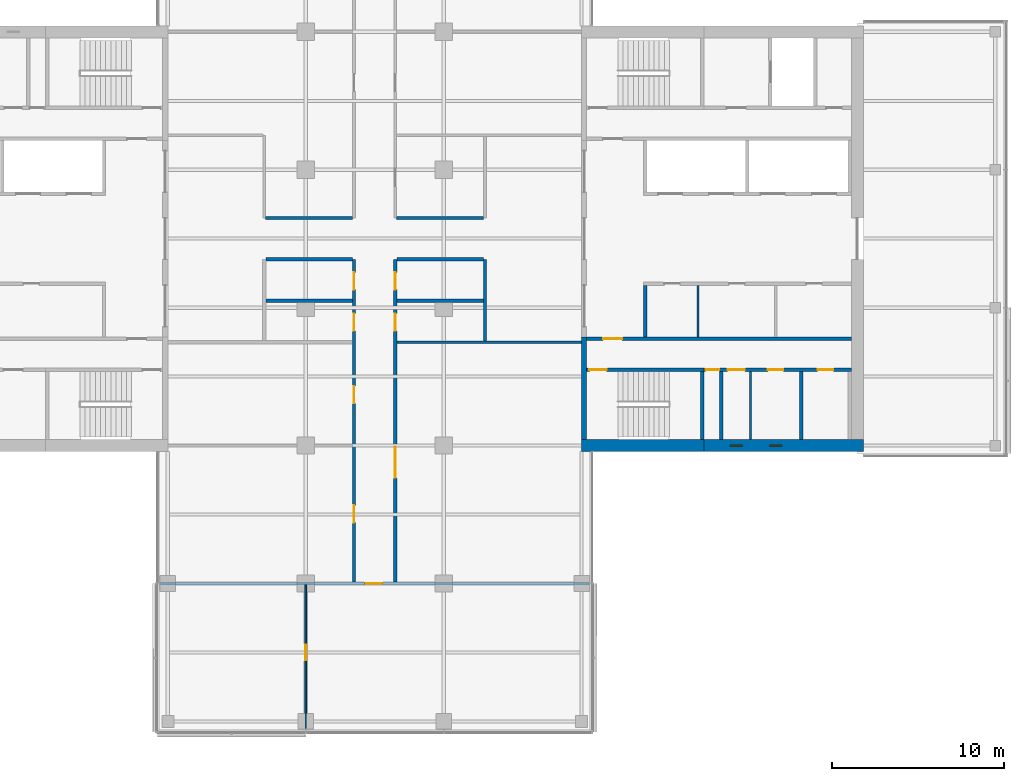
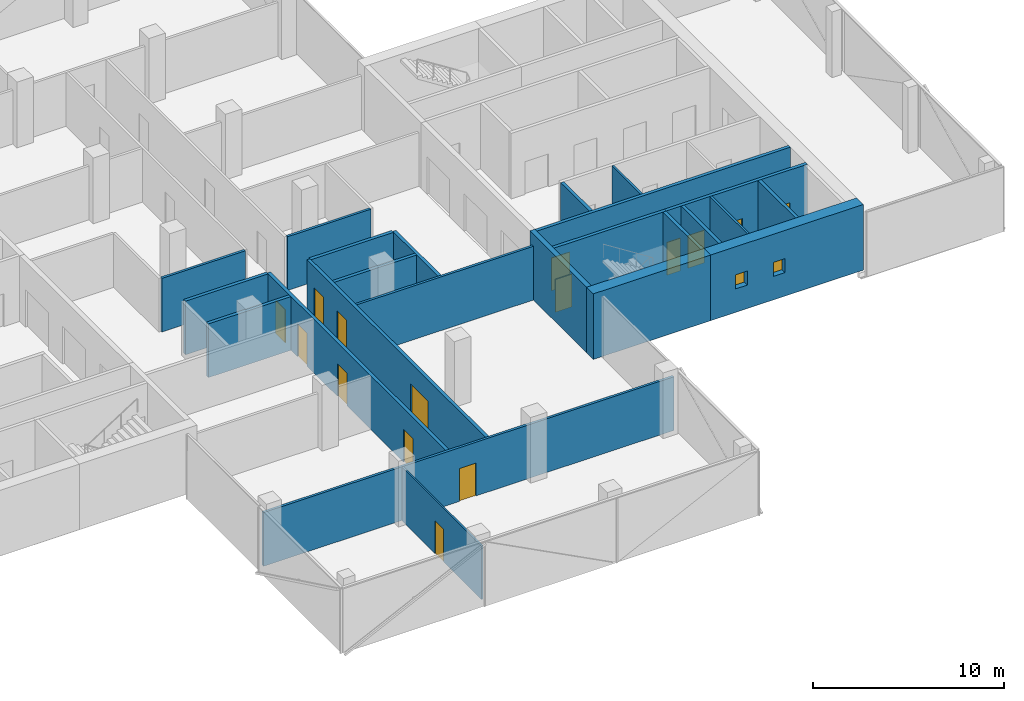
# One storey, part 14 of 22: 24 walls, 15 doors, 2 windows, 17 openings.
"""IFC4 building model written with IfcOpenShell, lengths in metres."""

from ifc_helpers import new_model, si_unit, direction, frame, frame_2d, origin, place, context, subcontext, project, spatial, rectangle, extrude, material, layer, layer_set, constituent, constituent_set, type_object, element, fill, save


model = new_model("IFC4")

# Units and contexts
model_context = context("Model", 3, precision=1e-05, world=origin(), true_north=direction((0.0, 1.0)))
body_context = subcontext(model_context, "Body", "Model", "MODEL_VIEW")
ifc_project = project(units=[si_unit("LENGTHUNIT", "METRE"), si_unit("AREAUNIT", "SQUARE_METRE"), si_unit("VOLUMEUNIT", "CUBIC_METRE"), si_unit("PLANEANGLEUNIT", "RADIAN"), si_unit("MASSUNIT", "GRAM", prefix="KILO")], contexts=[model_context])

# Site, building, storey
site_placement = place(None, origin())
site = spatial("IfcSite", under=ifc_project, at=site_placement, CompositionType="ELEMENT")
building_placement = place(site_placement, origin())
building = spatial("IfcBuilding", under=site, at=building_placement, Name="Crosswind Convention Tower", CompositionType="ELEMENT")
storey_placement = place(building_placement, frame((0.0, 0.0, 154.699951171875)))
storey = spatial("IfcBuildingStorey", under=building, at=storey_placement, Name="L32", CompositionType="ELEMENT", Elevation=154.699951171875)

# Wall
ifc_material_1 = material(Name="Concrete blockwork", Category="masonry")
ifc_layer_1 = layer(ifc_material_1, 0.199951171875)
ifc_layer_set_1 = layer_set([ifc_layer_1], Name="Blockwork partition wall 200")
wall_type_1 = type_object("IfcWallType", Name="Blockwork partition wall 200", PredefinedType="PARTITIONING", material=ifc_layer_set_1)
wall_1_placement = place(storey_placement, frame((145.10009765625, 88.35009765625, 0.0), z_axis=(0.0, 0.0, 1.0), x_axis=(0.0, 1.0, 0.0)))
element("IfcWall", 1, at=wall_1_placement, inside=storey, type_object=wall_type_1, Name="Wall MRSE E L32", PredefinedType="PARTITIONING", context=body_context, shape_type="SweptSolid", body=[
    extrude(rectangle(XDim=3.949951171875, YDim=0.199951171875, at=frame_2d((1.97509765625, 0.0))), origin(), (0.0, 0.0, 1.0), 4.199951171875),
])

# Wall, openings, doors
ifc_layer_2 = layer(ifc_material_1, 0.199951171875)
ifc_layer_set_2 = layer_set([ifc_layer_2], Name="COMPARTMENT WALL 200 BLOCKWORK")
wall_type_2 = type_object("IfcWallType", Name="COMPARTMENT WALL 200 BLOCKWORK", PredefinedType="SOLIDWALL", material=ifc_layer_set_2)
wall_2_placement = place(storey_placement, frame((123.800048828125, 80.074951171875, 0.0), z_axis=(0.0, 0.0, 1.0), x_axis=(0.0, 1.0, 0.0)))
wall_2 = element("IfcWall", 2, at=wall_2_placement, inside=storey, type_object=wall_type_2, Name="Compartment wall WT42", PredefinedType="SOLIDWALL", context=body_context, shape_type="SweptSolid", body=[
    extrude(rectangle(XDim=18.72509765625, YDim=0.199951171875, at=frame_2d((9.362548828125, 0.0))), origin(), (0.0, 0.0, 1.0), 3.4365234375),
])
opening_1_placement = place(wall_2_placement, frame((16.97509765625, 0.0, 0.0)))
opening_1 = element("IfcOpeningElement", 3, at=opening_1_placement, cuts=wall_2, Name="Opening L32-58", PredefinedType="OPENING", context=body_context, shape_type="SweptSolid", body=[
    extrude(rectangle(XDim=1.0, YDim=2.10009765625, at=frame_2d((0.5, 1.050048828125))), frame((0.0, 0.10986328125, 0.0), z_axis=(0.0, -1.0, 0.0), x_axis=(1.0, 0.0, 0.0)), (0.0, 0.0, 1.0), 0.219970703125),
])
opening_2_placement = place(wall_2_placement, frame((14.574951171875, 0.0, 0.0)))
opening_2 = element("IfcOpeningElement", 4, at=opening_2_placement, cuts=wall_2, Name="Opening L32-59", PredefinedType="OPENING", context=body_context, shape_type="SweptSolid", body=[
    extrude(rectangle(XDim=1.0, YDim=2.10009765625, at=frame_2d((0.5, 1.050048828125))), frame((0.0, 0.10986328125, 0.0), z_axis=(0.0, -1.0, 0.0), x_axis=(1.0, 0.0, 0.0)), (0.0, 0.0, 1.0), 0.219970703125),
])
opening_3_placement = place(wall_2_placement, frame((10.375, 0.0, 0.0)))
opening_3 = element("IfcOpeningElement", 5, at=opening_3_placement, cuts=wall_2, Name="Opening L32-60", PredefinedType="OPENING", context=body_context, shape_type="SweptSolid", body=[
    extrude(rectangle(XDim=1.0, YDim=2.10009765625, at=frame_2d((0.5, 1.050048828125))), frame((0.0, 0.10986328125, 0.0), z_axis=(0.0, -1.0, 0.0), x_axis=(1.0, 0.0, 0.0)), (0.0, 0.0, 1.0), 0.219970703125),
])
opening_4_placement = place(wall_2_placement, frame((3.449951171875, 0.0, 0.0)))
opening_4 = element("IfcOpeningElement", 6, at=opening_4_placement, cuts=wall_2, Name="Opening L32-61", PredefinedType="OPENING", context=body_context, shape_type="SweptSolid", body=[
    extrude(rectangle(XDim=1.0, YDim=2.10009765625, at=frame_2d((0.5, 1.050048828125))), frame((0.0, 0.10986328125, 0.0), z_axis=(0.0, -1.0, 0.0), x_axis=(1.0, 0.0, 0.0)), (0.0, 0.0, 1.0), 0.219970703125),
])
ifc_material_2 = material(Name="Steel fire door", Category="steel")
door_type_1 = type_object("IfcDoorType", Name="PLANT ROOM DOOR 1000X2100 FD60", OperationType="NOTDEFINED", PredefinedType="DOOR", material=ifc_material_2)
door_1_placement = place(opening_1_placement, origin())
door_1 = element("IfcDoor", 7, at=door_1_placement, inside=storey, type_object=door_type_1, Name="Door L32-58", ObjectType="D43", OperationType="SINGLE_SWING_LEFT", OverallHeight=2.10009765625, OverallWidth=1.0, PredefinedType="DOOR", context=body_context, shape_type="SweptSolid", body=[
    extrude(rectangle(XDim=1.0, YDim=2.10009765625, at=frame_2d((0.5, 1.050048828125))), frame((0.0, 0.02490234375, 0.0), z_axis=(0.0, -1.0, 0.0), x_axis=(1.0, 0.0, 0.0)), (0.0, 0.0, 1.0), 0.050048828125),
])
fill(opening_1, door_1)
door_2_placement = place(opening_2_placement, origin())
door_2 = element("IfcDoor", 8, at=door_2_placement, inside=storey, type_object=door_type_1, Name="Door L32-59", ObjectType="D43", OperationType="SINGLE_SWING_LEFT", OverallHeight=2.10009765625, OverallWidth=1.0, PredefinedType="DOOR", context=body_context, shape_type="SweptSolid", body=[
    extrude(rectangle(XDim=1.0, YDim=2.10009765625, at=frame_2d((0.5, 1.050048828125))), frame((0.0, 0.02490234375, 0.0), z_axis=(0.0, -1.0, 0.0), x_axis=(1.0, 0.0, 0.0)), (0.0, 0.0, 1.0), 0.050048828125),
])
fill(opening_2, door_2)
ifc_material_3 = material(Name="Timber fire door", Category="wood")
door_type_2 = type_object("IfcDoorType", Name="TENANCY ENTRANCE DOOR 1000X2100 FD30S", OperationType="NOTDEFINED", PredefinedType="DOOR", material=ifc_material_3)
door_3_placement = place(opening_3_placement, origin())
door_3 = element("IfcDoor", 9, at=door_3_placement, inside=storey, type_object=door_type_2, Name="Door L32-60", ObjectType="D41", OperationType="SINGLE_SWING_LEFT", OverallHeight=2.10009765625, OverallWidth=1.0, PredefinedType="DOOR", context=body_context, shape_type="SweptSolid", body=[
    extrude(rectangle(XDim=1.0, YDim=2.10009765625, at=frame_2d((0.5, 1.050048828125))), frame((0.0, 0.02490234375, 0.0), z_axis=(0.0, -1.0, 0.0), x_axis=(1.0, 0.0, 0.0)), (0.0, 0.0, 1.0), 0.050048828125),
])
fill(opening_3, door_3)
door_4_placement = place(opening_4_placement, origin())
door_4 = element("IfcDoor", 10, at=door_4_placement, inside=storey, type_object=door_type_2, Name="Door L32-61", ObjectType="D41", OperationType="SINGLE_SWING_RIGHT", OverallHeight=2.10009765625, OverallWidth=1.0, PredefinedType="DOOR", context=body_context, shape_type="SweptSolid", body=[
    extrude(rectangle(XDim=1.0, YDim=2.10009765625, at=frame_2d((0.5, 1.050048828125))), frame((0.0, 0.02490234375, 0.0), z_axis=(0.0, -1.0, 0.0), x_axis=(1.0, 0.0, 0.0)), (0.0, 0.0, 1.0), 0.050048828125),
])
fill(opening_4, door_4)

wall_3_placement = place(storey_placement, frame((126.199951171875, 80.074951171875, 0.0), z_axis=(0.0, 0.0, 1.0), x_axis=(0.0, 1.0, 0.0)))
wall_3 = element("IfcWall", 11, at=wall_3_placement, inside=storey, type_object=wall_type_2, Name="Compartment wall WT42", PredefinedType="SOLIDWALL", context=body_context, shape_type="SweptSolid", body=[
    extrude(rectangle(XDim=18.72509765625, YDim=0.199951171875, at=frame_2d((9.362548828125, 0.0))), origin(), (0.0, 0.0, 1.0), 3.4365234375),
])
opening_5_placement = place(wall_3_placement, frame((16.97509765625, 0.0, 0.0)))
opening_5 = element("IfcOpeningElement", 12, at=opening_5_placement, cuts=wall_3, Name="Opening L32-53", PredefinedType="OPENING", context=body_context, shape_type="SweptSolid", body=[
    extrude(rectangle(XDim=1.0, YDim=2.10009765625, at=frame_2d((0.5, 1.050048828125))), frame((0.0, 0.10986328125, 0.0), z_axis=(0.0, -1.0, 0.0), x_axis=(1.0, 0.0, 0.0)), (0.0, 0.0, 1.0), 0.219970703125),
])
opening_6_placement = place(wall_3_placement, frame((14.574951171875, 0.0, 0.0)))
opening_6 = element("IfcOpeningElement", 13, at=opening_6_placement, cuts=wall_3, Name="Opening L32-54", PredefinedType="OPENING", context=body_context, shape_type="SweptSolid", body=[
    extrude(rectangle(XDim=1.0, YDim=2.10009765625, at=frame_2d((0.5, 1.050048828125))), frame((0.0, 0.10986328125, 0.0), z_axis=(0.0, -1.0, 0.0), x_axis=(1.0, 0.0, 0.0)), (0.0, 0.0, 1.0), 0.219970703125),
])
opening_7_placement = place(wall_3_placement, frame((6.050048828125, 0.0, 0.0)))
opening_7 = element("IfcOpeningElement", 14, at=opening_7_placement, cuts=wall_3, Name="Opening L32-55", PredefinedType="OPENING", context=body_context, shape_type="SweptSolid", body=[
    extrude(rectangle(XDim=1.800048828125, YDim=2.10009765625, at=frame_2d((0.89990234375, 1.050048828125))), frame((0.0, 0.10986328125, 0.0), z_axis=(0.0, -1.0, 0.0), x_axis=(1.0, 0.0, 0.0)), (0.0, 0.0, 1.0), 0.219970703125),
])
door_5_placement = place(opening_5_placement, frame((1.0, 0.0, 0.0), z_axis=(0.0, 0.0, 1.0), x_axis=(-1.0, 0.0, 0.0)))
door_5 = element("IfcDoor", 15, at=door_5_placement, inside=storey, type_object=door_type_1, Name="Door L32-53", ObjectType="D43", OperationType="SINGLE_SWING_RIGHT", OverallHeight=2.10009765625, OverallWidth=1.0, PredefinedType="DOOR", context=body_context, shape_type="SweptSolid", body=[
    extrude(rectangle(XDim=1.0, YDim=2.10009765625, at=frame_2d((0.5, 1.050048828125))), frame((0.0, 0.02490234375, 0.0), z_axis=(0.0, -1.0, 0.0), x_axis=(1.0, 0.0, 0.0)), (0.0, 0.0, 1.0), 0.050048828125),
])
fill(opening_5, door_5)
door_6_placement = place(opening_6_placement, frame((1.0, 0.0, 0.0), z_axis=(0.0, 0.0, 1.0), x_axis=(-1.0, 0.0, 0.0)))
door_6 = element("IfcDoor", 16, at=door_6_placement, inside=storey, type_object=door_type_2, Name="Door L32-54", ObjectType="D41", OperationType="SINGLE_SWING_RIGHT", OverallHeight=2.10009765625, OverallWidth=1.0, PredefinedType="DOOR", context=body_context, shape_type="SweptSolid", body=[
    extrude(rectangle(XDim=1.0, YDim=2.10009765625, at=frame_2d((0.5, 1.050048828125))), frame((0.0, 0.02490234375, 0.0), z_axis=(0.0, -1.0, 0.0), x_axis=(1.0, 0.0, 0.0)), (0.0, 0.0, 1.0), 0.050048828125),
])
fill(opening_6, door_6)
door_type_3 = type_object("IfcDoorType", Name="TENANCY ENTRANCE DOUBLE DOOR 1800X2100 FD30S", OperationType="DOUBLE_DOOR_SINGLE_SWING", PredefinedType="DOOR", material=ifc_material_3)
door_7_placement = place(opening_7_placement, frame((1.800048828125, 0.0, 0.0), z_axis=(0.0, 0.0, 1.0), x_axis=(-1.0, 0.0, 0.0)))
door_7 = element("IfcDoor", 17, at=door_7_placement, inside=storey, type_object=door_type_3, Name="Door L32-55", ObjectType="D42", OperationType="DOUBLE_DOOR_SINGLE_SWING", OverallHeight=2.10009765625, OverallWidth=1.800048828125, PredefinedType="DOOR", context=body_context, shape_type="SweptSolid", body=[
    extrude(rectangle(XDim=1.800048828125, YDim=2.10009765625, at=frame_2d((0.89990234375, 1.050048828125))), frame((0.0, 0.02490234375, 0.0), z_axis=(0.0, -1.0, 0.0), x_axis=(1.0, 0.0, 0.0)), (0.0, 0.0, 1.0), 0.050048828125),
])
fill(opening_7, door_7)

# Walls
wall_4_placement = place(storey_placement, frame((131.39990234375, 94.074951171875, 0.0), z_axis=(0.0, 0.0, 1.0), x_axis=(0.0, 1.0, 0.0)))
element("IfcWall", 18, at=wall_4_placement, inside=storey, type_object=wall_type_2, Name="Compartment wall WT42", PredefinedType="SOLIDWALL", context=body_context, shape_type="SweptSolid", body=[
    extrude(rectangle(XDim=4.72509765625, YDim=0.199951171875, at=frame_2d((2.362548828125, 0.0))), origin(), (0.0, 0.0, 1.0), 3.4365234375),
])
for number, where, z_axis, x_axis, name in (
    (19, (118.699951171875, 96.39990234375, 0.0), (0.0, 0.0, 1.0), (1.0, 0.0, 0.0), "Compartment wall WT42"),
    (20, (126.300048828125, 96.39990234375, 0.0), (0.0, 0.0, 1.0), (1.0, 0.0, 0.0), "Compartment wall WT42"),
    (21, (118.699951171875, 98.800048828125, 0.0), (0.0, 0.0, 1.0), (1.0, 0.0, 0.0), "Compartment wall WT42"),
    (22, (126.300048828125, 98.800048828125, 0.0), (0.0, 0.0, 1.0), (1.0, 0.0, 0.0), "Compartment wall WT42"),
):
    element("IfcWall", number, at=place(storey_placement, frame(where, z_axis=z_axis, x_axis=x_axis)), inside=storey, type_object=wall_type_2, Name=name, PredefinedType="SOLIDWALL", context=body_context, shape_type="SweptSolid", body=[
        extrude(rectangle(XDim=5.0, YDim=0.199951171875, at=frame_2d((2.5, 0.0))), origin(), (0.0, 0.0, 1.0), 3.4365234375),
    ])
ifc_material_4 = material(Name="Concrete C50/60", Category="concrete")
ifc_layer_3 = layer(ifc_material_4, 0.300048828125)
ifc_layer_set_3 = layer_set([ifc_layer_3], Name="Concrete C50/60")
wall_type_3 = type_object("IfcWallType", Name="Concrete inner core wall 300", PredefinedType="SHEAR", material=ifc_layer_set_3)
wall_5_placement = place(storey_placement, frame((137.14990234375, 88.35009765625, 0.0), z_axis=(0.0, 0.0, 1.0), x_axis=(0.0, 1.0, 0.0)))
element("IfcWall", 23, at=wall_5_placement, inside=storey, type_object=wall_type_3, Name="Wall EM E L32", PredefinedType="SHEAR", context=body_context, shape_type="SweptSolid", body=[
    extrude(rectangle(XDim=5.949951171875, YDim=0.300048828125, at=frame_2d((2.97509765625, 0.0))), origin(), (0.0, 0.0, 1.0), 4.199951171875),
])
ifc_layer_4 = layer(ifc_material_4, 0.199951171875)
ifc_layer_set_4 = layer_set([ifc_layer_4], Name="Concrete C50/60")
wall_type_4 = type_object("IfcWallType", Name="Concrete shaft and stair wall 200", PredefinedType="SHEAR", material=ifc_layer_set_4)
wall_6_placement = place(storey_placement, frame((140.699951171875, 94.300048828125, 0.0), z_axis=(0.0, 0.0, 1.0), x_axis=(0.0, 1.0, 0.0)))
element("IfcWall", 24, at=wall_6_placement, inside=storey, type_object=wall_type_4, Name="Wall RMEND E L32", PredefinedType="SHEAR", context=body_context, shape_type="SweptSolid", body=[
    extrude(rectangle(XDim=3.0, YDim=0.199951171875, at=frame_2d((1.5, 0.0))), origin(), (0.0, 0.0, 1.0), 4.199951171875),
])

# Wall, opening, door
wall_7_placement = place(storey_placement, frame((137.300048828125, 94.199951171875, 0.0), z_axis=(0.0, 0.0, 1.0), x_axis=(1.0, 0.0, 0.0)))
wall_7 = element("IfcWall", 25, at=wall_7_placement, inside=storey, type_object=wall_type_4, Name="Wall HM E L32", PredefinedType="SHEAR", context=body_context, shape_type="SweptSolid", body=[
    extrude(rectangle(XDim=15.349853515625, YDim=0.199951171875, at=frame_2d((7.6748046875, 0.0))), origin(), (0.0, 0.0, 1.0), 4.199951171875),
])
opening_8_placement = place(wall_7_placement, frame((0.949951171875, 0.0, 0.0)))
opening_8 = element("IfcOpeningElement", 26, at=opening_8_placement, cuts=wall_7, Name="Opening D104", PredefinedType="OPENING", context=body_context, shape_type="SweptSolid", body=[
    extrude(rectangle(XDim=1.10009765625, YDim=2.10009765625, at=frame_2d((0.550048828125, 1.050048828125))), frame((0.0, 0.10986328125, 0.0), z_axis=(0.0, -1.0, 0.0), x_axis=(1.0, 0.0, 0.0)), (0.0, 0.0, 1.0), 0.219970703125),
])
door_type_4 = type_object("IfcDoorType", Name="Fire-rated single door 1100x2100", OperationType="NOTDEFINED", PredefinedType="DOOR", material=ifc_material_2)
door_8_placement = place(opening_8_placement, origin())
door_8 = element("IfcDoor", 27, at=door_8_placement, inside=storey, type_object=door_type_4, Name="Corridor door L32", ObjectType="D104", OperationType="SINGLE_SWING_LEFT", OverallHeight=2.10009765625, OverallWidth=1.10009765625, PredefinedType="DOOR", context=body_context, shape_type="SweptSolid", body=[
    extrude(rectangle(XDim=1.10009765625, YDim=2.10009765625, at=frame_2d((0.550048828125, 1.050048828125))), frame((0.0, 0.02490234375, 0.0), z_axis=(0.0, -1.0, 0.0), x_axis=(1.0, 0.0, 0.0)), (0.0, 0.0, 1.0), 0.050048828125),
])
fill(opening_8, door_8)

# Walls
for number, where, z_axis, x_axis, name in (
    (28, (144.0, 88.35009765625, 0.0), (0.0, 0.0, 1.0), (0.0, 1.0, 0.0), "Wall MSE E L32"),
    (29, (149.75, 88.35009765625, 0.0), (0.0, 0.0, 1.0), (0.0, 1.0, 0.0), "Wall MFSW E L32"),
):
    element("IfcWall", number, at=place(storey_placement, frame(where, z_axis=z_axis, x_axis=x_axis)), inside=storey, type_object=wall_type_4, Name=name, PredefinedType="SHEAR", context=body_context, shape_type="SweptSolid", body=[
        extrude(rectangle(XDim=3.949951171875, YDim=0.199951171875, at=frame_2d((1.97509765625, 0.0))), origin(), (0.0, 0.0, 1.0), 4.199951171875),
    ])

# Wall, opening, door
wall_8_placement = place(storey_placement, frame((137.300048828125, 92.39990234375, 0.0), z_axis=(0.0, 0.0, 1.0), x_axis=(1.0, 0.0, 0.0)))
wall_8 = element("IfcWall", 30, at=wall_8_placement, inside=storey, type_object=wall_type_4, Name="Wall MCW E L32", PredefinedType="SHEAR", context=body_context, shape_type="SweptSolid", body=[
    extrude(rectangle(XDim=6.800048828125, YDim=0.199951171875, at=frame_2d((3.39990234375, 0.0))), origin(), (0.0, 0.0, 1.0), 4.199951171875),
])
opening_9_placement = place(wall_8_placement, frame((0.14990234375, 0.0, 0.0)))
opening_9 = element("IfcOpeningElement", 31, at=opening_9_placement, cuts=wall_8, Name="Opening D103", PredefinedType="OPENING", context=body_context, shape_type="SweptSolid", body=[
    extrude(rectangle(XDim=1.0, YDim=2.10009765625, at=frame_2d((0.5, 1.050048828125))), frame((0.0, 0.10986328125, 0.0), z_axis=(0.0, -1.0, 0.0), x_axis=(1.0, 0.0, 0.0)), (0.0, 0.0, 1.0), 0.219970703125),
])
door_type_5 = type_object("IfcDoorType", Name="Fire-rated single door 1000x2100", OperationType="NOTDEFINED", PredefinedType="DOOR", material=ifc_material_2)
door_9_placement = place(opening_9_placement, frame((1.0, 0.0, 0.0), z_axis=(0.0, 0.0, 1.0), x_axis=(-1.0, 0.0, 0.0)))
door_9 = element("IfcDoor", 32, at=door_9_placement, inside=storey, type_object=door_type_5, Name="Stair ST2 door L32", ObjectType="D103", OperationType="SINGLE_SWING_RIGHT", OverallHeight=2.10009765625, OverallWidth=1.0, PredefinedType="DOOR", context=body_context, shape_type="SweptSolid", body=[
    extrude(rectangle(XDim=1.0, YDim=2.10009765625, at=frame_2d((0.5, 1.050048828125))), frame((0.0, 0.02490234375, 0.0), z_axis=(0.0, -1.0, 0.0), x_axis=(1.0, 0.0, 0.0)), (0.0, 0.0, 1.0), 0.050048828125),
])
fill(opening_9, door_9)

# Wall, openings, doors
wall_9_placement = place(storey_placement, frame((144.10009765625, 92.39990234375, 0.0), z_axis=(0.0, 0.0, 1.0), x_axis=(1.0, 0.0, 0.0)))
wall_9 = element("IfcWall", 33, at=wall_9_placement, inside=storey, type_object=wall_type_4, Name="Wall MCX E L32", PredefinedType="SHEAR", context=body_context, shape_type="SweptSolid", body=[
    extrude(rectangle(XDim=8.5498046875, YDim=0.199951171875, at=frame_2d((4.27490234375, 0.0))), origin(), (0.0, 0.0, 1.0), 4.199951171875),
])
opening_10_placement = place(wall_9_placement, frame((0.10009765625, 0.0, 0.0)))
opening_10 = element("IfcOpeningElement", 34, at=opening_10_placement, cuts=wall_9, Name="Opening D105", PredefinedType="OPENING", context=body_context, shape_type="SweptSolid", body=[
    extrude(rectangle(XDim=0.800048828125, YDim=2.10009765625, at=frame_2d((0.39990234375, 1.050048828125))), frame((0.0, 0.10986328125, 0.0), z_axis=(0.0, -1.0, 0.0), x_axis=(1.0, 0.0, 0.0)), (0.0, 0.0, 1.0), 0.219970703125),
])
opening_11_placement = place(wall_9_placement, frame((1.36962890625, 0.0, 0.0)))
opening_11 = element("IfcOpeningElement", 35, at=opening_11_placement, cuts=wall_9, Name="Opening D103", PredefinedType="OPENING", context=body_context, shape_type="SweptSolid", body=[
    extrude(rectangle(XDim=1.0, YDim=2.10009765625, at=frame_2d((0.5, 1.050048828125))), frame((0.0, 0.10986328125, 0.0), z_axis=(0.0, -1.0, 0.0), x_axis=(1.0, 0.0, 0.0)), (0.0, 0.0, 1.0), 0.219970703125),
])
opening_12_placement = place(wall_9_placement, frame((3.707275390625, 0.0, 0.0)))
opening_12 = element("IfcOpeningElement", 36, at=opening_12_placement, cuts=wall_9, Name="Opening D106", PredefinedType="OPENING", context=body_context, shape_type="SweptSolid", body=[
    extrude(rectangle(XDim=0.89990234375, YDim=2.10009765625, at=frame_2d((0.449951171875, 1.050048828125))), frame((0.0, 0.10986328125, 0.0), z_axis=(0.0, -1.0, 0.0), x_axis=(1.0, 0.0, 0.0)), (0.0, 0.0, 1.0), 0.219970703125),
])
opening_13_placement = place(wall_9_placement, frame((6.60009765625, 0.0, 0.0)))
opening_13 = element("IfcOpeningElement", 37, at=opening_13_placement, cuts=wall_9, Name="Opening D106", PredefinedType="OPENING", context=body_context, shape_type="SweptSolid", body=[
    extrude(rectangle(XDim=0.89990234375, YDim=2.10009765625, at=frame_2d((0.449951171875, 1.050048828125))), frame((0.0, 0.10986328125, 0.0), z_axis=(0.0, -1.0, 0.0), x_axis=(1.0, 0.0, 0.0)), (0.0, 0.0, 1.0), 0.219970703125),
])
door_10_placement = place(opening_11_placement, frame((1.0, 0.0, 0.0), z_axis=(0.0, 0.0, 1.0), x_axis=(-1.0, 0.0, 0.0)))
door_10 = element("IfcDoor", 38, at=door_10_placement, inside=storey, type_object=door_type_5, Name="Door to accessible wc L32", ObjectType="D103", OperationType="SINGLE_SWING_LEFT", OverallHeight=2.10009765625, OverallWidth=1.0, PredefinedType="DOOR", context=body_context, shape_type="SweptSolid", body=[
    extrude(rectangle(XDim=1.0, YDim=2.10009765625, at=frame_2d((0.5, 1.050048828125))), frame((0.0, 0.02490234375, 0.0), z_axis=(0.0, -1.0, 0.0), x_axis=(1.0, 0.0, 0.0)), (0.0, 0.0, 1.0), 0.050048828125),
])
fill(opening_11, door_10)
door_type_6 = type_object("IfcDoorType", Name="Riser access door 800x2100", OperationType="NOTDEFINED", PredefinedType="DOOR", material=ifc_material_2)
door_11_placement = place(opening_10_placement, frame((0.800048828125, 0.0, 0.0), z_axis=(0.0, 0.0, 1.0), x_axis=(-1.0, 0.0, 0.0)))
door_11 = element("IfcDoor", 39, at=door_11_placement, inside=storey, type_object=door_type_6, Name="Riser door L32", ObjectType="D105", OperationType="SINGLE_SWING_LEFT", OverallHeight=2.10009765625, OverallWidth=0.800048828125, PredefinedType="DOOR", context=body_context, shape_type="SweptSolid", body=[
    extrude(rectangle(XDim=0.800048828125, YDim=2.10009765625, at=frame_2d((0.39990234375, 1.050048828125))), frame((0.0, 0.02490234375, 0.0), z_axis=(0.0, -1.0, 0.0), x_axis=(1.0, 0.0, 0.0)), (0.0, 0.0, 1.0), 0.050048828125),
])
fill(opening_10, door_11)
ifc_material_5 = material(Name="Timber door", Category="wood")
door_type_7 = type_object("IfcDoorType", Name="Single leaf door 900x2100", OperationType="NOTDEFINED", PredefinedType="DOOR", material=ifc_material_5)
door_12_placement = place(opening_12_placement, frame((0.89990234375, 0.0, 0.0), z_axis=(0.0, 0.0, 1.0), x_axis=(-1.0, 0.0, 0.0)))
door_12 = element("IfcDoor", 40, at=door_12_placement, inside=storey, type_object=door_type_7, Name="Door to wc L32", ObjectType="D106", OperationType="SINGLE_SWING_LEFT", OverallHeight=2.10009765625, OverallWidth=0.89990234375, PredefinedType="DOOR", context=body_context, shape_type="SweptSolid", body=[
    extrude(rectangle(XDim=0.89990234375, YDim=2.10009765625, at=frame_2d((0.449951171875, 1.050048828125))), frame((0.0, 0.02490234375, 0.0), z_axis=(0.0, -1.0, 0.0), x_axis=(1.0, 0.0, 0.0)), (0.0, 0.0, 1.0), 0.050048828125),
])
fill(opening_12, door_12)
door_13_placement = place(opening_13_placement, frame((0.89990234375, 0.0, 0.0), z_axis=(0.0, 0.0, 1.0), x_axis=(-1.0, 0.0, 0.0)))
door_13 = element("IfcDoor", 41, at=door_13_placement, inside=storey, type_object=door_type_7, Name="Door to wc L32", ObjectType="D106", OperationType="SINGLE_SWING_LEFT", OverallHeight=2.10009765625, OverallWidth=0.89990234375, PredefinedType="DOOR", context=body_context, shape_type="SweptSolid", body=[
    extrude(rectangle(XDim=0.89990234375, YDim=2.10009765625, at=frame_2d((0.449951171875, 1.050048828125))), frame((0.0, 0.02490234375, 0.0), z_axis=(0.0, -1.0, 0.0), x_axis=(1.0, 0.0, 0.0)), (0.0, 0.0, 1.0), 0.050048828125),
])
fill(opening_13, door_13)

# Walls
ifc_material_6 = material(Name="Gypsum plasterboard partition", Category="gypsum")
ifc_layer_5 = layer(ifc_material_6, 0.125)
ifc_layer_set_5 = layer_set([ifc_layer_5], Name="Drywall partition wall 125")
wall_type_5 = type_object("IfcWallType", Name="Drywall partition wall 125", PredefinedType="PARTITIONING", material=ifc_layer_set_5)
wall_10_placement = place(storey_placement, frame((143.762451171875, 94.300048828125, 0.0), z_axis=(0.0, 0.0, 1.0), x_axis=(0.0, 1.0, 0.0)))
element("IfcWall", 42, at=wall_10_placement, inside=storey, type_object=wall_type_5, Name="Wall RMP1 E L32", PredefinedType="PARTITIONING", context=body_context, shape_type="SweptSolid", body=[
    extrude(rectangle(XDim=3.0, YDim=0.125, at=frame_2d((1.5, 0.0))), origin(), (0.0, 0.0, 1.0), 4.199951171875),
])
wall_11_placement = place(storey_placement, frame((146.802001953125, 88.35009765625, 0.0), z_axis=(0.0, 0.0, 1.0), x_axis=(0.0, 1.0, 0.0)))
element("IfcWall", 43, at=wall_11_placement, inside=storey, type_object=wall_type_5, Name="Wall MWP1 E L32", PredefinedType="PARTITIONING", context=body_context, shape_type="SweptSolid", body=[
    extrude(rectangle(XDim=3.949951171875, YDim=0.125, at=frame_2d((1.97509765625, 0.0))), origin(), (0.0, 0.0, 1.0), 4.199951171875),
])

# Wall, opening, door
ifc_material_7 = material(Name="Plasterboard partition", Category="gypsum")
ifc_layer_6 = layer(ifc_material_7, 0.10009765625)
ifc_layer_set_6 = layer_set([ifc_layer_6], Name="PARTITION 100 METAL STUD")
wall_type_6 = type_object("IfcWallType", Name="PARTITION 100 METAL STUD", PredefinedType="PARTITIONING", material=ifc_layer_set_6)
wall_12_placement = place(storey_placement, frame((121.0, 71.580078125, 0.0), z_axis=(0.0, 0.0, 1.0), x_axis=(0.0, 1.0, 0.0)))
wall_12 = element("IfcWall", 44, at=wall_12_placement, inside=storey, type_object=wall_type_6, Name="Partition wall WT40", PredefinedType="PARTITIONING", context=body_context, shape_type="SweptSolid", body=[
    extrude(rectangle(XDim=8.344970703125, YDim=0.10009765625, at=frame_2d((4.17236328125, 0.0))), origin(), (0.0, 0.0, 1.0), 3.4365234375),
])
opening_14_placement = place(wall_12_placement, frame((3.969970703125, 0.0, 0.0)))
opening_14 = element("IfcOpeningElement", 45, at=opening_14_placement, cuts=wall_12, Name="Opening L32-65", PredefinedType="OPENING", context=body_context, shape_type="SweptSolid", body=[
    extrude(rectangle(XDim=0.89990234375, YDim=2.10009765625, at=frame_2d((0.449951171875, 1.050048828125))), frame((0.0, 0.06005859375, 0.0), z_axis=(0.0, -1.0, 0.0), x_axis=(1.0, 0.0, 0.0)), (0.0, 0.0, 1.0), 0.1201171875),
])
door_type_8 = type_object("IfcDoorType", Name="INTERNAL DOOR 900X2100", OperationType="NOTDEFINED", PredefinedType="DOOR", material=ifc_material_5)
door_14_placement = place(opening_14_placement, origin())
door_14 = element("IfcDoor", 46, at=door_14_placement, inside=storey, type_object=door_type_8, Name="Door L32-65", ObjectType="D40", OperationType="SINGLE_SWING_RIGHT", OverallHeight=2.10009765625, OverallWidth=0.89990234375, PredefinedType="DOOR", context=body_context, shape_type="SweptSolid", body=[
    extrude(rectangle(XDim=0.89990234375, YDim=2.10009765625, at=frame_2d((0.449951171875, 1.050048828125))), frame((0.0, 0.02490234375, 0.0), z_axis=(0.0, -1.0, 0.0), x_axis=(1.0, 0.0, 0.0)), (0.0, 0.0, 1.0), 0.050048828125),
])
fill(opening_14, door_14)

ifc_material_8 = material(Name="Fire-board partition with mineral wool", Category="gypsum")
ifc_layer_7 = layer(ifc_material_8, 0.14990234375)
ifc_layer_set_7 = layer_set([ifc_layer_7], Name="TENANCY WALL 150 TWO-HOUR BOARD")
wall_type_7 = type_object("IfcWallType", Name="TENANCY WALL 150 TWO-HOUR BOARD", PredefinedType="PARTITIONING", material=ifc_layer_set_7)
wall_13_placement = place(storey_placement, frame((112.580078125, 80.0, 0.0), z_axis=(0.0, 0.0, 1.0), x_axis=(1.0, 0.0, 0.0)))
wall_13 = element("IfcWall", 47, at=wall_13_placement, inside=storey, type_object=wall_type_7, Name="Tenancy wall WT41", PredefinedType="PARTITIONING", context=body_context, shape_type="SweptSolid", body=[
    extrude(rectangle(XDim=24.83984375, YDim=0.14990234375, at=frame_2d((12.419921875, 0.0))), origin(), (0.0, 0.0, 1.0), 3.4365234375),
])
opening_15_placement = place(wall_13_placement, frame((11.8701171875, 0.0, 0.0)))
opening_15 = element("IfcOpeningElement", 48, at=opening_15_placement, cuts=wall_13, Name="Opening L32-64", PredefinedType="OPENING", context=body_context, shape_type="SweptSolid", body=[
    extrude(rectangle(XDim=1.0, YDim=2.10009765625, at=frame_2d((0.5, 1.050048828125))), frame((0.0, 0.0849609375, 0.0), z_axis=(0.0, -1.0, 0.0), x_axis=(1.0, 0.0, 0.0)), (0.0, 0.0, 1.0), 0.169921875),
])
door_15_placement = place(opening_15_placement, frame((1.0, 0.0, 0.0), z_axis=(0.0, 0.0, 1.0), x_axis=(-1.0, 0.0, 0.0)))
door_15 = element("IfcDoor", 49, at=door_15_placement, inside=storey, type_object=door_type_2, Name="Door L32-64", ObjectType="D41", OperationType="SINGLE_SWING_RIGHT", OverallHeight=2.10009765625, OverallWidth=1.0, PredefinedType="DOOR", context=body_context, shape_type="SweptSolid", body=[
    extrude(rectangle(XDim=1.0, YDim=2.10009765625, at=frame_2d((0.5, 1.050048828125))), frame((0.0, 0.02490234375, 0.0), z_axis=(0.0, -1.0, 0.0), x_axis=(1.0, 0.0, 0.0)), (0.0, 0.0, 1.0), 0.050048828125),
])
fill(opening_15, door_15)

# Walls
wall_14_placement = place(storey_placement, frame((126.300048828125, 94.0, 0.0), z_axis=(0.0, 0.0, 1.0), x_axis=(1.0, 0.0, 0.0)))
element("IfcWall", 50, at=wall_14_placement, inside=storey, type_object=wall_type_7, Name="Tenancy wall WT41", PredefinedType="PARTITIONING", context=body_context, shape_type="SweptSolid", body=[
    extrude(rectangle(XDim=10.699951171875, YDim=0.14990234375, at=frame_2d((5.35009765625, 0.0))), origin(), (0.0, 0.0, 1.0), 3.4365234375),
])
for number, where, z_axis, x_axis, name in (
    (51, (118.675048828125, 101.199951171875, 0.0), (0.0, 0.0, 1.0), (1.0, 0.0, 0.0), "Tenancy wall WT41"),
    (52, (126.27490234375, 101.199951171875, 0.0), (0.0, 0.0, 1.0), (1.0, 0.0, 0.0), "Tenancy wall WT41"),
):
    element("IfcWall", number, at=place(storey_placement, frame(where, z_axis=z_axis, x_axis=x_axis)), inside=storey, type_object=wall_type_7, Name=name, PredefinedType="PARTITIONING", context=body_context, shape_type="SweptSolid", body=[
        extrude(rectangle(XDim=5.050048828125, YDim=0.14990234375, at=frame_2d((2.52490234375, 0.0))), origin(), (0.0, 0.0, 1.0), 3.4365234375),
    ])
ifc_material_9 = material(Name="Concrete C60/75", Category="concrete")
ifc_constituent_1 = constituent(ifc_material_9, Name="Structure")
ifc_material_10 = material(Name="Terracotta rainscreen", Category="ceramic")
ifc_constituent_2 = constituent(ifc_material_10, Name="Facing")
ifc_constituent_set = constituent_set(constituents=[ifc_constituent_1, ifc_constituent_2], Name="Concrete C60/75, Terracotta rainscreen")
wall_type_8 = type_object("IfcWallType", Name="Terracotta rainscreen on concrete core wall 700", PredefinedType="SHEAR", material=ifc_constituent_set)
wall_15_placement = place(storey_placement, frame((137.0, 88.0, 0.0), z_axis=(0.0, 0.0, 1.0), x_axis=(1.0, 0.0, 0.0)))
element("IfcWall", 53, at=wall_15_placement, inside=storey, type_object=wall_type_8, Name="Wall S1 E L32", PredefinedType="SHEAR", context=body_context, shape_type="SweptSolid", body=[
    extrude(rectangle(XDim=7.10009765625, YDim=0.699951171875, at=frame_2d((3.550048828125, 0.0))), origin(), (0.0, 0.0, 1.0), 4.199951171875),
])

# Wall, openings, windows
wall_16_placement = place(storey_placement, frame((144.10009765625, 88.0, 0.0), z_axis=(0.0, 0.0, 1.0), x_axis=(1.0, 0.0, 0.0)))
wall_16 = element("IfcWall", 54, at=wall_16_placement, inside=storey, type_object=wall_type_8, Name="Wall S2 E L32", PredefinedType="SHEAR", context=body_context, shape_type="SweptSolid", body=[
    extrude(rectangle(XDim=9.25, YDim=0.699951171875, at=frame_2d((4.625, 0.0))), origin(), (0.0, 0.0, 1.0), 4.199951171875),
])
opening_16_placement = place(wall_16_placement, frame((1.519775390625, 0.0, 1.5)))
opening_16 = element("IfcOpeningElement", 55, at=opening_16_placement, cuts=wall_16, Name="Opening W2", PredefinedType="OPENING", context=body_context, shape_type="SweptSolid", body=[
    extrude(rectangle(XDim=0.699951171875, YDim=0.89990234375, at=frame_2d((0.35009765625, 0.449951171875))), frame((0.0, 0.35986328125, 0.0), z_axis=(0.0, -1.0, 0.0), x_axis=(1.0, 0.0, 0.0)), (0.0, 0.0, 1.0), 0.719970703125),
])
opening_17_placement = place(wall_16_placement, frame((3.80712890625, 0.0, 1.5)))
opening_17 = element("IfcOpeningElement", 56, at=opening_17_placement, cuts=wall_16, Name="Opening W2", PredefinedType="OPENING", context=body_context, shape_type="SweptSolid", body=[
    extrude(rectangle(XDim=0.699951171875, YDim=0.89990234375, at=frame_2d((0.35009765625, 0.449951171875))), frame((0.0, 0.35986328125, 0.0), z_axis=(0.0, -1.0, 0.0), x_axis=(1.0, 0.0, 0.0)), (0.0, 0.0, 1.0), 0.719970703125),
])
ifc_material_11 = material(Name="Obscure glass in aluminium frame", Category="aluminium")
window_type = type_object("IfcWindowType", Name="WC window 700x900", PartitioningType="SINGLE_PANEL", PredefinedType="WINDOW", material=ifc_material_11)
window_1_placement = place(opening_16_placement, origin())
window_1 = element("IfcWindow", 57, at=window_1_placement, inside=storey, type_object=window_type, Name="WC window L32", ObjectType="W2", OverallHeight=0.89990234375, OverallWidth=0.699951171875, PartitioningType="SINGLE_PANEL", PredefinedType="WINDOW", context=body_context, shape_type="SweptSolid", body=[
    extrude(rectangle(XDim=0.699951171875, YDim=0.89990234375, at=frame_2d((0.35009765625, 0.449951171875))), frame((0.0, 0.030029296875, 0.0), z_axis=(0.0, -1.0, 0.0), x_axis=(1.0, 0.0, 0.0)), (0.0, 0.0, 1.0), 0.06005859375),
])
fill(opening_16, window_1)
window_2_placement = place(opening_17_placement, origin())
window_2 = element("IfcWindow", 58, at=window_2_placement, inside=storey, type_object=window_type, Name="WC window L32", ObjectType="W2", OverallHeight=0.89990234375, OverallWidth=0.699951171875, PartitioningType="SINGLE_PANEL", PredefinedType="WINDOW", context=body_context, shape_type="SweptSolid", body=[
    extrude(rectangle(XDim=0.699951171875, YDim=0.89990234375, at=frame_2d((0.35009765625, 0.449951171875))), frame((0.0, 0.030029296875, 0.0), z_axis=(0.0, -1.0, 0.0), x_axis=(1.0, 0.0, 0.0)), (0.0, 0.0, 1.0), 0.06005859375),
])
fill(opening_17, window_2)

save(model, "model.ifc")
